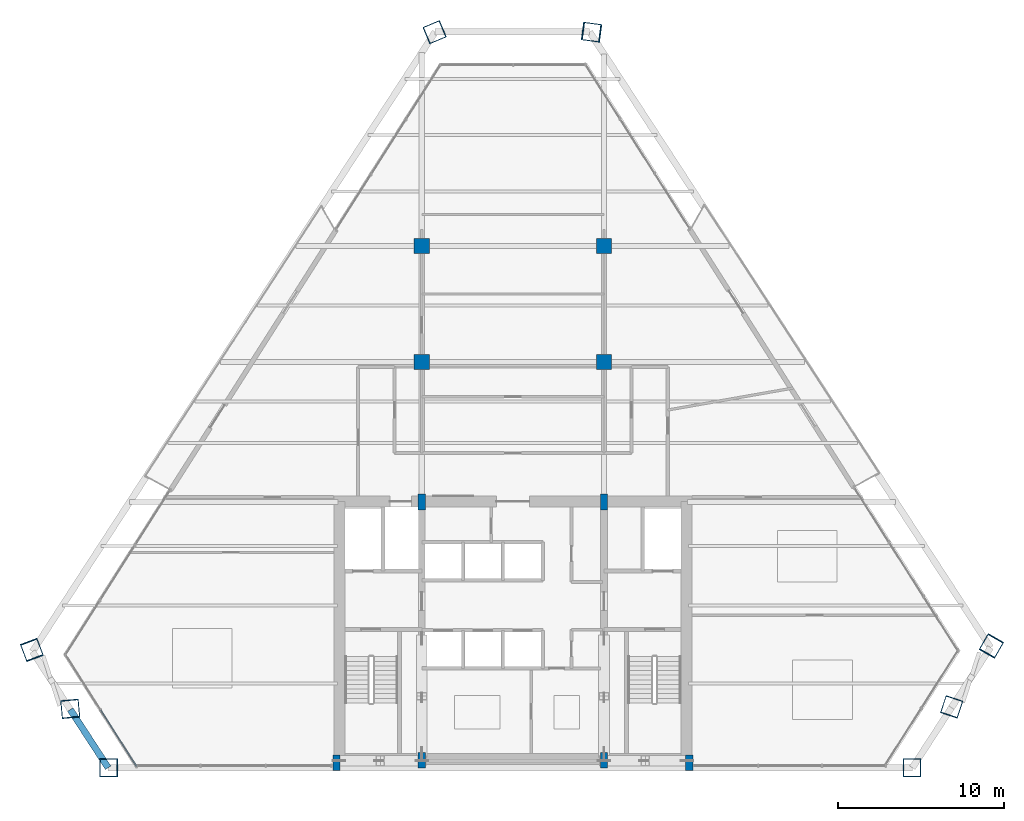
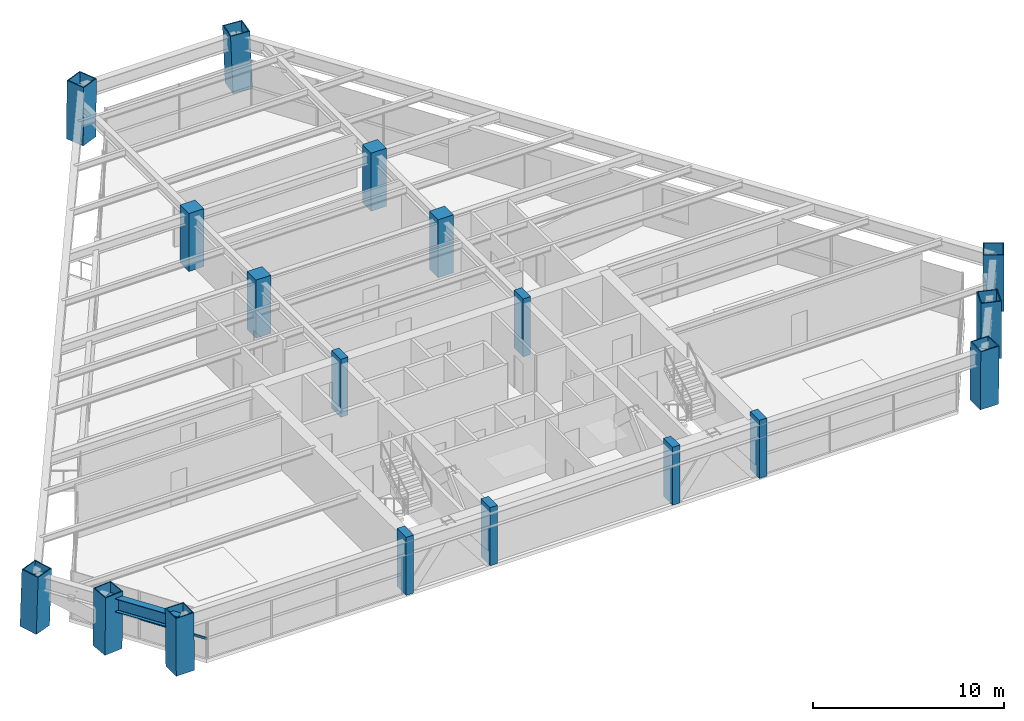
# One storey, part 1 of 15: 18 columns, 1 beam, 1 member, 1 element without a shape of its own.
"""IFC4 building model written with IfcOpenShell, lengths in metres."""

from ifc_helpers import new_model, si_unit, direction, frame, origin, origin_2d, place, context, subcontext, project, spatial, rectangle, hollow_rectangle, i_section, extrude, source, transform, mapped, material, material_profile, profile_set, type_object, element, aggregate, save


model = new_model("IFC4")

# Units and contexts
model_context = context("Model", 3, precision=1e-05, world=origin(), true_north=direction((0.0, 1.0)))
body_context = subcontext(model_context, "Body", "Model", "MODEL_VIEW")
ifc_project = project(units=[si_unit("LENGTHUNIT", "METRE"), si_unit("AREAUNIT", "SQUARE_METRE"), si_unit("VOLUMEUNIT", "CUBIC_METRE"), si_unit("PLANEANGLEUNIT", "RADIAN"), si_unit("MASSUNIT", "GRAM", prefix="KILO")], contexts=[model_context])

# Site, building, storey
site_placement = place(None, origin())
site = spatial("IfcSite", under=ifc_project, at=site_placement, CompositionType="ELEMENT")
building_placement = place(site_placement, origin())
building = spatial("IfcBuilding", under=site, at=building_placement, Name="Varnakhor Terracotta Tower", CompositionType="ELEMENT")
storey_placement = place(building_placement, frame((0.0, 0.0, 162.60009765625)))
storey = spatial("IfcBuildingStorey", under=building, at=storey_placement, Name="L41", CompositionType="ELEMENT", Elevation=162.60009765625)

# Columns
ifc_material_1 = material(Name="Concrete C50/60", Category="concrete")
ifc_material_profile_1 = material_profile(ifc_material_1, rectangle(XDim=0.449951171875, YDim=0.949951171875, at=origin_2d()), Name="RC PILASTER 950x450")
ifc_profile_set_1 = profile_set([ifc_material_profile_1], Name="Concrete C50/60")
column_type_1 = type_object("IfcColumnType", Name="COL-PIL-950x450", PredefinedType="PILASTER", material=ifc_profile_set_1)
shared_shape_1 = source(origin(), body_context, "Body", "SweptSolid", [
    extrude(rectangle(XDim=0.449951171875, YDim=0.949951171875, at=origin_2d()), origin(), (0.0, 0.0, 1.0), 3.699951171875),
])
for number, where, z_axis, x_axis, name in (
    (1, (-10.64990234375, 0.300048828125, 0.0), (0.0, 0.0, 1.0), (1.0, 0.0, 0.0), "L41 Core Pilaster CP1"),
    (2, (-5.5, 0.449951171875, 0.0), (0.0, 0.0, 1.0), (1.0, 0.0, 0.0), "L41 Core Pilaster CP2"),
    (3, (5.5, 0.449951171875, 0.0), (0.0, 0.0, 1.0), (1.0, 0.0, 0.0), "L41 Core Pilaster CP3"),
    (4, (10.64990234375, 0.300048828125, 0.0), (0.0, 0.0, 1.0), (1.0, 0.0, 0.0), "L41 Core Pilaster CP4"),
    (5, (-5.5, 16.050048828125, 0.0), (0.0, 0.0, 1.0), (1.0, 0.0, 0.0), "L41 Core Pilaster CP5"),
    (6, (5.5, 16.050048828125, 0.0), (0.0, 0.0, 1.0), (1.0, 0.0, 0.0), "L41 Core Pilaster CP6"),
):
    element("IfcColumn", number, at=place(storey_placement, frame(where, z_axis=z_axis, x_axis=x_axis)), inside=storey, type_object=column_type_1, Name=name, PredefinedType="PILASTER", context=body_context, shape_type="MappedRepresentation", body=[
        mapped(shared_shape_1, transform((0.0, 0.0, 0.0), scale=1.0)),
    ])
ifc_material_2 = material(Name="Steel S460", Category="steel")
ifc_material_profile_2 = material_profile(ifc_material_2, hollow_rectangle(XDim=1.10009765625, YDim=1.10009765625, WallThickness=0.054931640625, at=origin_2d()), Name="BOX 1100x1100x55")
ifc_profile_set_2 = profile_set([ifc_material_profile_2], Name="Steel S460")
column_type_2 = type_object("IfcColumnType", Name="COL-MEGA-1100", PredefinedType="COLUMN", material=ifc_profile_set_2)
shared_shape_2 = source(origin(), body_context, "Body", "SweptSolid", [
    extrude(hollow_rectangle(XDim=1.10009765625, YDim=1.10009765625, WallThickness=0.054931640625, at=origin_2d()), origin(), (0.0, 0.0, 1.0), 3.69140625),
])
for number, where, z_axis, x_axis, name in (
    (7, (-24.404052734375, 0.0, 0.00439453125), (-0.009061073869, 0.0, 0.999958947628), (0.0, -1.0, 0.0), "L41 Perimeter Mega-Column M1"),
    (8, (-4.733642578125, 44.410400390625, 0.00439453125), (0.012036809033, 0.005026359816, 0.999914921848), (-0.385335296188, 0.922776630345, 0.0), "L41 Perimeter Mega-Column M6"),
):
    element("IfcColumn", number, at=place(storey_placement, frame(where, z_axis=z_axis, x_axis=x_axis)), inside=storey, type_object=column_type_2, Name=name, PredefinedType="COLUMN", context=body_context, shape_type="MappedRepresentation", body=[
        mapped(shared_shape_2, transform((0.0, 0.0, 0.0), scale=1.0)),
    ])
shared_shape_3 = source(origin(), body_context, "Body", "SweptSolid", [
    extrude(hollow_rectangle(XDim=1.10009765625, YDim=1.10009765625, WallThickness=0.054931640625, at=origin_2d()), origin(), (0.0, 0.0, 1.0), 3.691650390625),
])
for number, where, z_axis, x_axis, name in (
    (9, (26.49560546875, 3.686767578125, 0.00439453125), (-0.004960025495, -0.01501234383, 0.999875006028), (0.949516556765, -0.313716924041, 0.0), "L41 Perimeter Mega-Column M3"),
    (10, (-26.7275390625, 3.56640625, 0.00439453125), (0.001454940894, -0.015739815131, 0.999875062879), (0.995754888126, 0.092044569491, 0.0), "L41 Perimeter Mega-Column M8"),
):
    element("IfcColumn", number, at=place(storey_placement, frame(where, z_axis=z_axis, x_axis=x_axis)), inside=storey, type_object=column_type_2, Name=name, PredefinedType="COLUMN", context=body_context, shape_type="MappedRepresentation", body=[
        mapped(shared_shape_3, transform((0.0, 0.0, 0.0), scale=1.0)),
    ])
shared_shape_4 = source(origin(), body_context, "Body", "SweptSolid", [
    extrude(hollow_rectangle(XDim=1.10009765625, YDim=1.10009765625, WallThickness=0.054931640625, at=origin_2d()), origin(), (0.0, 0.0, 1.0), 3.693359375),
])
for number, where, z_axis, x_axis, name in (
    (11, (28.900634765625, 7.373291015625, 0.00439453125), (-0.01712056862, -0.02994446944, 0.999404930386), (0.868125185834, -0.496345304925, 0.0), "L41 Perimeter Mega-Column M4"),
    (12, (-29.05126953125, 7.133056640625, 0.00439453125), (0.011964855985, -0.03159779647, 0.999429047747), (0.935198718454, 0.354123364101, 0.0), "L41 Perimeter Mega-Column M7"),
):
    element("IfcColumn", number, at=place(storey_placement, frame(where, z_axis=z_axis, x_axis=x_axis)), inside=storey, type_object=column_type_2, Name=name, PredefinedType="COLUMN", context=body_context, shape_type="MappedRepresentation", body=[
        mapped(shared_shape_4, transform((0.0, 0.0, 0.0), scale=1.0)),
    ])
ifc_material_profile_3 = material_profile(ifc_material_1, rectangle(XDim=0.919921875, YDim=0.919921875, at=origin_2d()), Name="RC 920x920")
ifc_profile_set_3 = profile_set([ifc_material_profile_3], Name="Concrete C50/60")
column_type_3 = type_object("IfcColumnType", Name="COL-RC-920", PredefinedType="COLUMN", material=ifc_profile_set_3)
shared_shape_5 = source(origin(), body_context, "Body", "SweptSolid", [
    extrude(rectangle(XDim=0.919921875, YDim=0.919921875, at=origin_2d()), origin(), (0.0, 0.0, 1.0), 3.699951171875),
])
for number, where, z_axis, x_axis, name in (
    (13, (-5.5, 24.5, 0.0), (0.0, 0.0, 1.0), (1.0, 0.0, 0.0), "L41 Interior Tower Column IC1"),
    (14, (5.5, 24.5, 0.0), (0.0, 0.0, 1.0), (1.0, 0.0, 0.0), "L41 Interior Tower Column IC2"),
    (15, (-5.5, 31.5, 0.0), (0.0, 0.0, 1.0), (1.0, 0.0, 0.0), "L41 Interior Tower Column IC3"),
    (16, (5.5, 31.5, 0.0), (0.0, 0.0, 1.0), (1.0, 0.0, 0.0), "L41 Interior Tower Column IC4"),
):
    element("IfcColumn", number, at=place(storey_placement, frame(where, z_axis=z_axis, x_axis=x_axis)), inside=storey, type_object=column_type_3, Name=name, PredefinedType="COLUMN", context=body_context, shape_type="MappedRepresentation", body=[
        mapped(shared_shape_5, transform((0.0, 0.0, 0.0), scale=1.0)),
    ])
shared_shape_6 = source(origin(), body_context, "Body", "SweptSolid", [
    extrude(hollow_rectangle(XDim=1.10009765625, YDim=1.10009765625, WallThickness=0.054931640625, at=origin_2d()), origin(), (0.0, 0.0, 1.0), 3.69384765625),
])
column_1_placement = place(storey_placement, frame((4.77099609375, 44.410400390625, 0.00439453125), z_axis=(-0.037805665822, 0.005023130424, 0.999272485257), x_axis=(-0.131709639437, -0.99128833892, 0.0)))
element("IfcColumn", 17, at=column_1_placement, inside=storey, type_object=column_type_2, Name="L41 Perimeter Mega-Column M5", PredefinedType="COLUMN", context=body_context, shape_type="MappedRepresentation", body=[
    mapped(shared_shape_6, transform((0.0, 0.0, 0.0), scale=1.0)),
])
shared_shape_7 = source(origin(), body_context, "Body", "SweptSolid", [
    extrude(hollow_rectangle(XDim=1.10009765625, YDim=1.10009765625, WallThickness=0.054931640625, at=origin_2d()), origin(), (0.0, 0.0, 1.0), 3.691162109375),
])
column_2_placement = place(storey_placement, frame((24.0908203125, 0.0, 0.00439453125), z_axis=(0.007010873397, 0.0, 0.999975423525), x_axis=(0.0, 1.0, 0.0)))
element("IfcColumn", 18, at=column_2_placement, inside=storey, type_object=column_type_2, Name="L41 Perimeter Mega-Column M2", PredefinedType="COLUMN", context=body_context, shape_type="MappedRepresentation", body=[
    mapped(shared_shape_7, transform((0.0, 0.0, 0.0), scale=1.0)),
])

# Beam
ifc_material_3 = material(Name="Steel S355", Category="steel")
ifc_material_profile_4 = material_profile(ifc_material_3, i_section(OverallWidth=0.39990234375, OverallDepth=0.85498046875, WebThickness=0.01806640625, FlangeThickness=0.029052734375, FilletRadius=0.01806640625, at=origin_2d()), Name="W33X201")
ifc_profile_set_4 = profile_set([ifc_material_profile_4], Name="Steel S355")
beam_type = type_object("IfcBeamType", Name="BM-W33X201", PredefinedType="BEAM", material=ifc_profile_set_4)
shared_shape_8 = source(origin(), body_context, "Body", "SweptSolid", [
    extrude(i_section(OverallWidth=0.39990234375, OverallDepth=0.85498046875, WebThickness=0.01806640625, FlangeThickness=0.029052734375, FilletRadius=0.01806640625, at=origin_2d()), origin(), (0.0, 0.0, 1.0), 4.1865234375),
])
beam_placement = place(storey_placement, frame((-26.72216796875, 3.50830078125, 2.972412109375), z_axis=(0.545705550657, -0.837976999674, 0.0), x_axis=(0.837976999674, 0.545705550657, 0.0)))
element("IfcBeam", 19, at=beam_placement, inside=storey, type_object=beam_type, Name="L41 Perimeter Spandrel 8", PredefinedType="BEAM", context=body_context, shape_type="MappedRepresentation", body=[
    mapped(shared_shape_8, transform((0.0, 0.0, 0.0), scale=1.0)),
])

# Curtain wall, member
ifc_material_4 = material(Name="Anodised Aluminium Curtain Wall System", Category="aluminium")
curtain_wall_type = type_object("IfcCurtainWallType", Name="CW-SYS-MID-OFFICE", PredefinedType="NOTDEFINED", material=ifc_material_4)
curtain_wall_placement = place(storey_placement, origin())
curtain_wall = element("IfcCurtainWall", 20, at=curtain_wall_placement, inside=storey, type_object=curtain_wall_type, Name="L41 Facet Curtain Wall 6", PredefinedType="NOTDEFINED")
ifc_material_5 = material(Name="Anodised Aluminium 6063-T6", Category="aluminium")
ifc_material_profile_5 = material_profile(ifc_material_5, rectangle(XDim=0.070068359375, YDim=0.155029296875, at=origin_2d()), Name="ALU TRANSOM 70x155")
ifc_profile_set_5 = profile_set([ifc_material_profile_5], Name="Anodised Aluminium 6063-T6")
member_type = type_object("IfcMemberType", Name="CWT-03", PredefinedType="USERDEFINED", material=ifc_profile_set_5)
shared_shape_9 = source(origin(), body_context, "Body", "SweptSolid", [
    extrude(rectangle(XDim=0.070068359375, YDim=0.155029296875, at=origin_2d()), origin(), (0.0, 0.0, 1.0), 4.02001953125),
])
member_placement = place(storey_placement, frame((-22.725830078125, 0.089599609375, 1.25146484375), z_axis=(-0.536262315927, 0.844051377889, 0.0), x_axis=(-0.844051377889, -0.536262315927, 0.0)))
member = element("IfcMember", 21, at=member_placement, type_object=member_type, Name="L41 Facet Curtain Wall 6 Transom 1", ObjectType="TRANSOM", PredefinedType="USERDEFINED", context=body_context, shape_type="MappedRepresentation", body=[
    mapped(shared_shape_9, transform((0.0, 0.0, 0.0), scale=1.0)),
])
aggregate(curtain_wall, [member])

save(model, "model.ifc")
